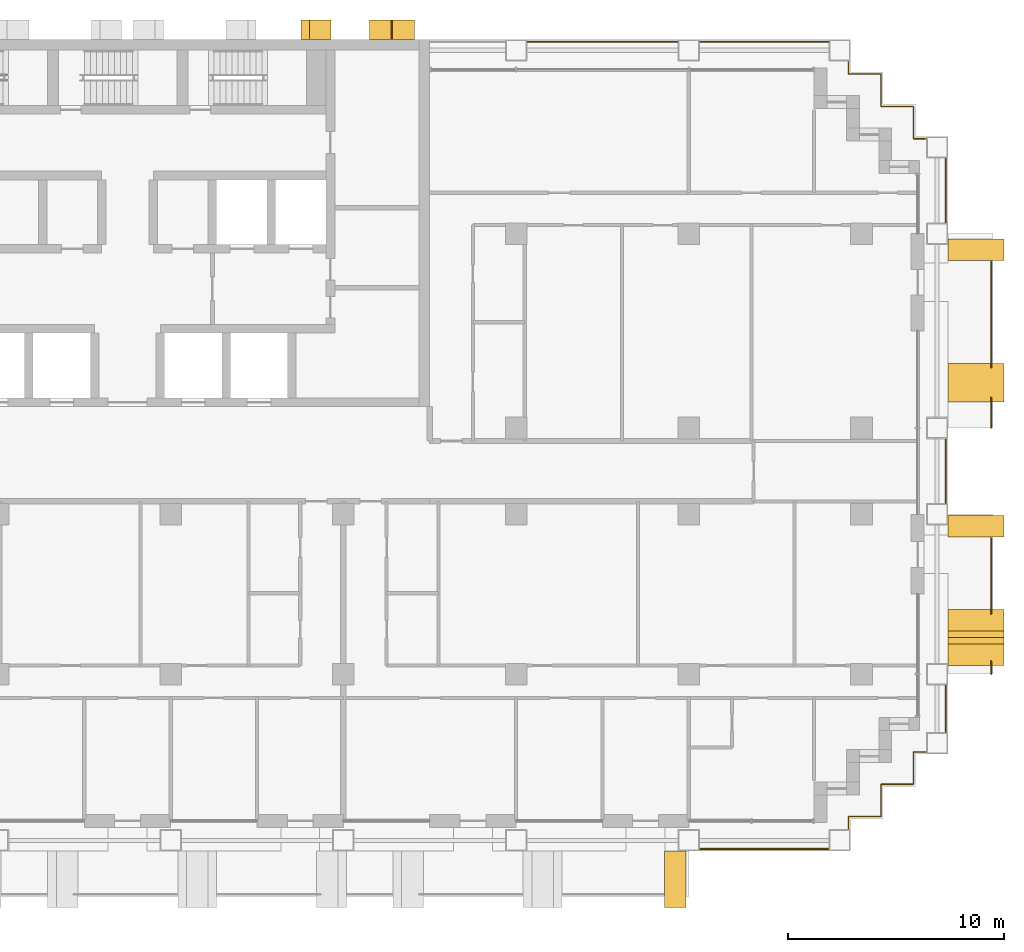
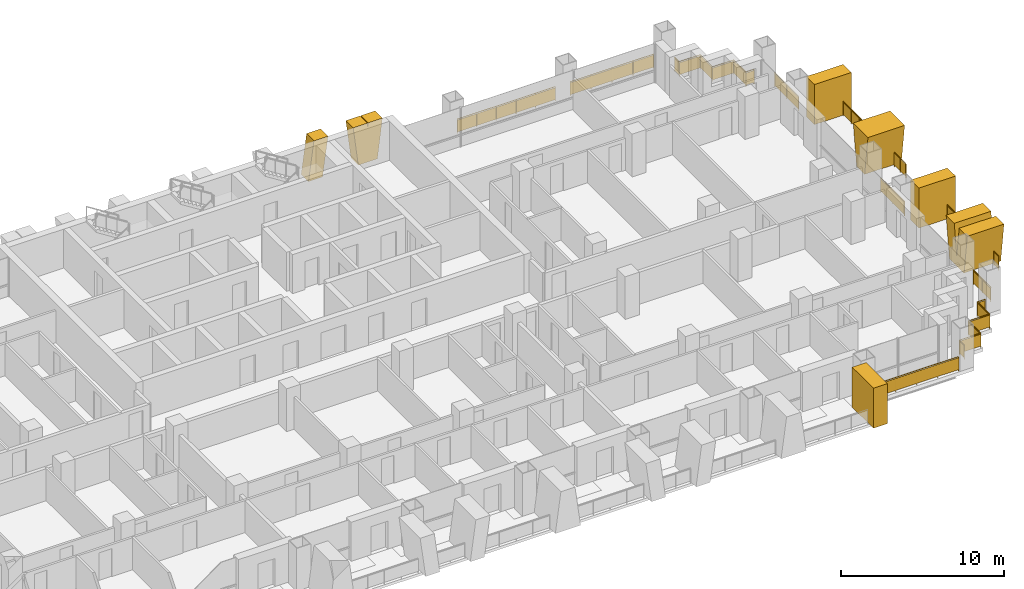
# One storey, part 18 of 18: 12 railings, 7 shading devices.
"""IFC4 building model written with IfcOpenShell, lengths in metres."""

from ifc_helpers import new_model, si_unit, direction, frame, origin, origin_2d, place, context, subcontext, project, spatial, polyline, rectangle, circle, outline, extrude, material, layer, layer_set, type_object, element, save


model = new_model("IFC4")

# Units and contexts
model_context = context("Model", 3, precision=1e-05, world=origin(), true_north=direction((0.0, 1.0)))
body_context = subcontext(model_context, "Body", "Model", "MODEL_VIEW")
ifc_project = project(units=[si_unit("LENGTHUNIT", "METRE"), si_unit("AREAUNIT", "SQUARE_METRE"), si_unit("VOLUMEUNIT", "CUBIC_METRE"), si_unit("PLANEANGLEUNIT", "RADIAN"), si_unit("MASSUNIT", "GRAM", prefix="KILO")], contexts=[model_context])

# Site, building, storey
site_placement = place(None, origin())
site = spatial("IfcSite", under=ifc_project, at=site_placement, CompositionType="ELEMENT")
building_placement = place(site_placement, origin())
building = spatial("IfcBuilding", under=site, at=building_placement, Name="Vidyagriha Tower", CompositionType="ELEMENT")
storey_placement = place(building_placement, frame((0.0, 0.0, 54.39990234375)))
storey = spatial("IfcBuildingStorey", under=building, at=storey_placement, Name="L14", CompositionType="ELEMENT", Elevation=54.39990234375)

# Railings
ifc_material_1 = material(Name="Steel ASTM A500 Grade C black painted", Category="steel")
railing_type_1 = type_object("IfcRailingType", Name="Balcony guard 1100", PredefinedType="BALUSTRADE", material=ifc_material_1)
railing_1_placement = place(storey_placement, frame((40.0, -9.39990234375, 0.0)))
element("IfcRailing", 1, at=railing_1_placement, inside=storey, type_object=railing_type_1, Name="Balcony guard L14 R30.1-1", PredefinedType="BALUSTRADE", context=body_context, shape_type="SweptSolid", body=[
    extrude(circle(Radius=0.02490234375, at=origin_2d()), frame((0.0, 0.0, 1.0751953125), z_axis=(0.0, 1.0, 0.0), x_axis=(-1.0, 0.0, 0.0)), (0.0, 0.0, 1.0), 0.5966796875),
    extrude(circle(Radius=0.02001953125, at=origin_2d()), origin(), (0.0, 0.0, 1.0), 1.050048828125),
    extrude(circle(Radius=0.02001953125, at=origin_2d()), frame((0.0, 0.5966796875, 0.0)), (0.0, 0.0, 1.0), 1.050048828125),
    extrude(rectangle(XDim=0.010009765625, YDim=0.900146484375, at=origin_2d()), frame((0.0, 0.0, 0.550048828125), z_axis=(0.0, 1.0, 0.0), x_axis=(-1.0, 0.0, 0.0)), (0.0, 0.0, 1.0), 0.5966796875),
])
railing_2_placement = place(storey_placement, frame((40.0, -6.5966796875, 0.0)))
element("IfcRailing", 2, at=railing_2_placement, inside=storey, type_object=railing_type_1, Name="Balcony guard L14 R30.1-2", PredefinedType="BALUSTRADE", context=body_context, shape_type="SweptSolid", body=[
    extrude(circle(Radius=0.02490234375, at=origin_2d()), frame((0.0, 0.0, 1.0751953125), z_axis=(0.0, 1.0, 0.0), x_axis=(-1.0, 0.0, 0.0)), (0.0, 0.0, 1.0), 3.49658203125),
    extrude(circle(Radius=0.02001953125, at=origin_2d()), origin(), (0.0, 0.0, 1.0), 1.050048828125),
    extrude(circle(Radius=0.02001953125, at=origin_2d()), frame((0.0, 1.16552734375, 0.0)), (0.0, 0.0, 1.0), 1.050048828125),
    extrude(circle(Radius=0.02001953125, at=origin_2d()), frame((0.0, 2.3310546875, 0.0)), (0.0, 0.0, 1.0), 1.050048828125),
    extrude(circle(Radius=0.02001953125, at=origin_2d()), frame((0.0, 3.49658203125, 0.0)), (0.0, 0.0, 1.0), 1.050048828125),
    extrude(rectangle(XDim=0.010009765625, YDim=0.900146484375, at=origin_2d()), frame((0.0, 0.0, 0.550048828125), z_axis=(0.0, 1.0, 0.0), x_axis=(-1.0, 0.0, 0.0)), (0.0, 0.0, 1.0), 3.49658203125),
])
railing_3_placement = place(storey_placement, frame((40.0, 2.0, 0.0)))
element("IfcRailing", 3, at=railing_3_placement, inside=storey, type_object=railing_type_1, Name="Balcony guard L14 R30.2-1", PredefinedType="BALUSTRADE", context=body_context, shape_type="SweptSolid", body=[
    extrude(circle(Radius=0.02490234375, at=origin_2d()), frame((0.0, 0.0, 1.0751953125), z_axis=(0.0, 1.0, 0.0), x_axis=(-1.0, 0.0, 0.0)), (0.0, 0.0, 1.0), 1.396728515625),
    extrude(circle(Radius=0.02001953125, at=origin_2d()), origin(), (0.0, 0.0, 1.0), 1.050048828125),
    extrude(circle(Radius=0.02001953125, at=origin_2d()), frame((0.0, 0.6982421875, 0.0)), (0.0, 0.0, 1.0), 1.050048828125),
    extrude(circle(Radius=0.02001953125, at=origin_2d()), frame((0.0, 1.396728515625, 0.0)), (0.0, 0.0, 1.0), 1.050048828125),
    extrude(rectangle(XDim=0.010009765625, YDim=0.900146484375, at=origin_2d()), frame((0.0, 0.0, 0.550048828125), z_axis=(0.0, 1.0, 0.0), x_axis=(-1.0, 0.0, 0.0)), (0.0, 0.0, 1.0), 1.396728515625),
])
railing_4_placement = place(storey_placement, frame((40.0, 4.80322265625, 0.0)))
element("IfcRailing", 4, at=railing_4_placement, inside=storey, type_object=railing_type_1, Name="Balcony guard L14 R30.2-2", PredefinedType="BALUSTRADE", context=body_context, shape_type="SweptSolid", body=[
    extrude(circle(Radius=0.02490234375, at=origin_2d()), frame((0.0, 0.0, 1.0751953125), z_axis=(0.0, 1.0, 0.0), x_axis=(-1.0, 0.0, 0.0)), (0.0, 0.0, 1.0), 4.896728515625),
    extrude(circle(Radius=0.02001953125, at=origin_2d()), origin(), (0.0, 0.0, 1.0), 1.050048828125),
    extrude(circle(Radius=0.02001953125, at=origin_2d()), frame((0.0, 0.979248046875, 0.0)), (0.0, 0.0, 1.0), 1.050048828125),
    extrude(circle(Radius=0.02001953125, at=origin_2d()), frame((0.0, 1.958740234375, 0.0)), (0.0, 0.0, 1.0), 1.050048828125),
    extrude(circle(Radius=0.02001953125, at=origin_2d()), frame((0.0, 2.93798828125, 0.0)), (0.0, 0.0, 1.0), 1.050048828125),
    extrude(circle(Radius=0.02001953125, at=origin_2d()), frame((0.0, 3.91748046875, 0.0)), (0.0, 0.0, 1.0), 1.050048828125),
    extrude(circle(Radius=0.02001953125, at=origin_2d()), frame((0.0, 4.896728515625, 0.0)), (0.0, 0.0, 1.0), 1.050048828125),
    extrude(rectangle(XDim=0.010009765625, YDim=0.900146484375, at=origin_2d()), frame((0.0, 0.0, 0.550048828125), z_axis=(0.0, 1.0, 0.0), x_axis=(-1.0, 0.0, 0.0)), (0.0, 0.0, 1.0), 4.896728515625),
])

# Shading devices
ifc_material_2 = material(Name="Precast concrete C40/50 with buff brick facing", Category="concrete")
ifc_layer_1 = layer(ifc_material_2, 1.0)
ifc_layer_set_1 = layer_set([ifc_layer_1], Name="Precast concrete C40/50 with buff brick facing")
shading_device_type_1 = type_object("IfcShadingDeviceType", Name="Brick-faced blade fin forking 8 degrees", PredefinedType="USERDEFINED", material=ifc_layer_set_1)
shading_device_1_placement = place(storey_placement, frame((39.300048828125, -9.0, 0.0), z_axis=(0.0, 0.0, 1.0), x_axis=(0.0, 1.0, 0.0)))
element("IfcShadingDevice", 5, at=shading_device_1_placement, inside=storey, type_object=shading_device_type_1, Name="Forked blade fin L14 R30.200a", ObjectType="BLADE FIN", PredefinedType="USERDEFINED", context=body_context, shape_type="SweptSolid", body=[
    extrude(outline(polyline([(0.39990234375, 0.0), (2.199951171875, 0.0), (2.60009765625, 3.0), (1.60009765625, 3.0), (1.300048828125, 0.75), (1.0, 3.0), (0.0, 3.0), (0.39990234375, 0.0)])), frame((0.0, 1.300048828125, 0.0), z_axis=(0.0, -1.0, 0.0), x_axis=(1.0, 0.0, 0.0)), (0.0, 0.0, 1.0), 2.60009765625),
])
shading_device_2_placement = place(storey_placement, frame((39.300048828125, 3.199951171875, 0.0), z_axis=(0.0, 0.0, 1.0), x_axis=(0.0, 1.0, 0.0)))
element("IfcShadingDevice", 6, at=shading_device_2_placement, inside=storey, type_object=shading_device_type_1, Name="Forked blade fin L14 R30.1340a", ObjectType="BLADE FIN", PredefinedType="USERDEFINED", context=body_context, shape_type="SweptSolid", body=[
    extrude(outline(polyline([(0.39990234375, 0.0), (1.39990234375, 0.0), (1.800048828125, 3.0), (0.0, 3.0), (0.39990234375, 0.0)])), frame((0.0, 1.300048828125, 0.0), z_axis=(0.0, -1.0, 0.0), x_axis=(1.0, 0.0, 0.0)), (0.0, 0.0, 1.0), 2.60009765625),
])
ifc_material_3 = material(Name="Precast concrete C40/50 with buff brick facing", Category="concrete")
ifc_layer_2 = layer(ifc_material_3, 1.0)
ifc_layer_set_2 = layer_set([ifc_layer_2], Name="Precast concrete C40/50 with buff brick facing")
shading_device_type_2 = type_object("IfcShadingDeviceType", Name="Brick-faced blade fin stem 1000", PredefinedType="USERDEFINED", material=ifc_layer_set_2)
shading_device_3_placement = place(storey_placement, frame((24.875, -18.89990234375, 0.0)))
element("IfcShadingDevice", 7, at=shading_device_3_placement, inside=storey, type_object=shading_device_type_2, Name="Stem blade fin L14 R23.5780a", ObjectType="BLADE FIN", PredefinedType="USERDEFINED", context=body_context, shape_type="SweptSolid", body=[
    extrude(outline(polyline([(0.0, 0.0), (1.0, 0.0), (1.0, 3.0), (0.0, 3.0), (0.0, 0.0)])), frame((0.0, 1.300048828125, 0.0), z_axis=(0.0, -1.0, 0.0), x_axis=(1.0, 0.0, 0.0)), (0.0, 0.0, 1.0), 2.60009765625),
])
for number, where, z_axis, x_axis, name in (
    (8, (39.300048828125, -3.050048828125, 0.0), (0.0, 0.0, 1.0), (0.0, 1.0, 0.0), "Stem blade fin L14 R30.940a"),
    (9, (39.300048828125, 9.75, 0.0), (0.0, 0.0, 1.0), (0.0, 1.0, 0.0), "Stem blade fin L14 R30.2240a"),
):
    element("IfcShadingDevice", number, at=place(storey_placement, frame(where, z_axis=z_axis, x_axis=x_axis)), inside=storey, type_object=shading_device_type_2, Name=name, ObjectType="BLADE FIN", PredefinedType="USERDEFINED", context=body_context, shape_type="SweptSolid", body=[
        extrude(outline(polyline([(0.0, 0.0), (1.0, 0.0), (1.0, 3.0), (0.0, 3.0), (0.0, 0.0)])), frame((0.0, 1.300048828125, 0.0), z_axis=(0.0, -1.0, 0.0), x_axis=(1.0, 0.0, 0.0)), (0.0, 0.0, 1.0), 2.60009765625),
    ])
ifc_material_4 = material(Name="Precast concrete C40/50 with brick facing", Category="concrete")
ifc_layer_3 = layer(ifc_material_4, 1.0)
ifc_layer_set_3 = layer_set([ifc_layer_3], Name="Precast concrete C40/50 with brick facing")
shading_device_type_3 = type_object("IfcShadingDeviceType", Name="Brick-faced rear rib arm leaning 8 degrees", PredefinedType="USERDEFINED", material=ifc_layer_set_3)
shading_device_4_placement = place(storey_placement, frame((9.4287109375, 20.449951171875, 0.0), z_axis=(0.0, 0.0, 1.0), x_axis=(-1.0, 0.0, 0.0)))
element("IfcShadingDevice", 10, at=shading_device_4_placement, inside=storey, type_object=shading_device_type_3, Name="Rear rib arm L14 R08.2b", ObjectType="BLADE FIN", PredefinedType="USERDEFINED", context=body_context, shape_type="SweptSolid", body=[
    extrude(outline(polyline([(0.3857421875, 0.0), (1.3857421875, 0.0), (1.0, 2.920166015625), (0.0, 2.920166015625), (0.3857421875, 0.0)])), frame((0.0, 0.449951171875, 0.0), z_axis=(0.0, -1.0, 0.0), x_axis=(1.0, 0.0, 0.0)), (0.0, 0.0, 1.0), 0.89990234375),
])
ifc_material_5 = material(Name="Precast concrete C40/50 with brick facing", Category="concrete")
ifc_layer_4 = layer(ifc_material_5, 1.0)
ifc_layer_set_4 = layer_set([ifc_layer_4], Name="Precast concrete C40/50 with brick facing")
shading_device_type_4 = type_object("IfcShadingDeviceType", Name="Brick-faced rear rib forking 8 degrees", PredefinedType="USERDEFINED", material=ifc_layer_set_4)
shading_device_5_placement = place(storey_placement, frame((13.28564453125, 20.449951171875, 0.0), z_axis=(0.0, 0.0, 1.0), x_axis=(-1.0, 0.0, 0.0)))
element("IfcShadingDevice", 11, at=shading_device_5_placement, inside=storey, type_object=shading_device_type_4, Name="Rear rib fork L14 R08.1a", ObjectType="BLADE FIN", PredefinedType="USERDEFINED", context=body_context, shape_type="SweptSolid", body=[
    extrude(outline(polyline([(0.357177734375, 0.0), (1.71435546875, 0.0), (2.0712890625, 2.920166015625), (1.0712890625, 2.920166015625), (1.03564453125, 2.628173828125), (1.0, 2.920166015625), (0.0, 2.920166015625), (0.357177734375, 0.0)])), frame((0.0, 0.449951171875, 0.0), z_axis=(0.0, -1.0, 0.0), x_axis=(1.0, 0.0, 0.0)), (0.0, 0.0, 1.0), 0.89990234375),
])

# Railings
ifc_material_6 = material(Name="Steel ASTM A500 Grade C black painted", Category="steel")
railing_type_2 = type_object("IfcRailingType", Name="Gallery guard 1100", PredefinedType="GUARDRAIL", material=ifc_material_6)
railing_5_placement = place(storey_placement, frame((18.530029296875, 19.89990234375, 0.0)))
element("IfcRailing", 12, at=railing_5_placement, inside=storey, type_object=railing_type_2, Name="Gallery guard L14 11", PredefinedType="GUARDRAIL", context=body_context, shape_type="SweptSolid", body=[
    extrude(circle(Radius=0.02490234375, at=origin_2d()), frame((0.0, 0.0, 1.0751953125), z_axis=(1.0, 0.0, 0.0), x_axis=(0.0, 1.0, 0.0)), (0.0, 0.0, 1.0), 6.93994140625),
    extrude(circle(Radius=0.02001953125, at=origin_2d()), origin(), (0.0, 0.0, 1.0), 1.050048828125),
    extrude(circle(Radius=0.02001953125, at=origin_2d()), frame((1.387939453125, 0.0, 0.0)), (0.0, 0.0, 1.0), 1.050048828125),
    extrude(circle(Radius=0.02001953125, at=origin_2d()), frame((2.77587890625, 0.0, 0.0)), (0.0, 0.0, 1.0), 1.050048828125),
    extrude(circle(Radius=0.02001953125, at=origin_2d()), frame((4.1640625, 0.0, 0.0)), (0.0, 0.0, 1.0), 1.050048828125),
    extrude(circle(Radius=0.02001953125, at=origin_2d()), frame((5.552001953125, 0.0, 0.0)), (0.0, 0.0, 1.0), 1.050048828125),
    extrude(circle(Radius=0.02001953125, at=origin_2d()), frame((6.93994140625, 0.0, 0.0)), (0.0, 0.0, 1.0), 1.050048828125),
    extrude(rectangle(XDim=0.010009765625, YDim=0.900146484375, at=origin_2d()), frame((0.0, 0.0, 0.550048828125), z_axis=(1.0, 0.0, 0.0), x_axis=(0.0, 1.0, 0.0)), (0.0, 0.0, 1.0), 6.93994140625),
])
railing_6_placement = place(storey_placement, frame((32.469970703125, -17.5, 0.0)))
element("IfcRailing", 13, at=railing_6_placement, inside=storey, type_object=railing_type_2, Name="Gallery guard L14 12", PredefinedType="GUARDRAIL", context=body_context, shape_type="SweptSolid", body=[
    extrude(circle(Radius=0.02490234375, at=origin_2d()), frame((0.0, 0.0, 1.0751953125), z_axis=(-1.0, 0.0, 0.0), x_axis=(0.0, -1.0, 0.0)), (0.0, 0.0, 1.0), 5.93994140625),
    extrude(circle(Radius=0.02001953125, at=origin_2d()), origin(), (0.0, 0.0, 1.0), 1.050048828125),
    extrude(circle(Radius=0.02001953125, at=origin_2d()), frame((-1.48486328125, 0.0, 0.0)), (0.0, 0.0, 1.0), 1.050048828125),
    extrude(circle(Radius=0.02001953125, at=origin_2d()), frame((-2.969970703125, 0.0, 0.0)), (0.0, 0.0, 1.0), 1.050048828125),
    extrude(circle(Radius=0.02001953125, at=origin_2d()), frame((-4.455078125, 0.0, 0.0)), (0.0, 0.0, 1.0), 1.050048828125),
    extrude(circle(Radius=0.02001953125, at=origin_2d()), frame((-5.93994140625, 0.0, 0.0)), (0.0, 0.0, 1.0), 1.050048828125),
    extrude(rectangle(XDim=0.010009765625, YDim=0.900146484375, at=origin_2d()), frame((0.0, 0.0, 0.550048828125), z_axis=(-1.0, 0.0, 0.0), x_axis=(0.0, -1.0, 0.0)), (0.0, 0.0, 1.0), 5.93994140625),
])
railing_7_placement = place(storey_placement, frame((26.530029296875, 19.89990234375, 0.0)))
element("IfcRailing", 14, at=railing_7_placement, inside=storey, type_object=railing_type_2, Name="Gallery guard L14 13", PredefinedType="GUARDRAIL", context=body_context, shape_type="SweptSolid", body=[
    extrude(circle(Radius=0.02490234375, at=origin_2d()), frame((0.0, 0.0, 1.0751953125), z_axis=(1.0, 0.0, 0.0), x_axis=(0.0, 1.0, 0.0)), (0.0, 0.0, 1.0), 5.93994140625),
    extrude(circle(Radius=0.02001953125, at=origin_2d()), origin(), (0.0, 0.0, 1.0), 1.050048828125),
    extrude(circle(Radius=0.02001953125, at=origin_2d()), frame((1.48486328125, 0.0, 0.0)), (0.0, 0.0, 1.0), 1.050048828125),
    extrude(circle(Radius=0.02001953125, at=origin_2d()), frame((2.969970703125, 0.0, 0.0)), (0.0, 0.0, 1.0), 1.050048828125),
    extrude(circle(Radius=0.02001953125, at=origin_2d()), frame((4.455078125, 0.0, 0.0)), (0.0, 0.0, 1.0), 1.050048828125),
    extrude(circle(Radius=0.02001953125, at=origin_2d()), frame((5.93994140625, 0.0, 0.0)), (0.0, 0.0, 1.0), 1.050048828125),
    extrude(rectangle(XDim=0.010009765625, YDim=0.900146484375, at=origin_2d()), frame((0.0, 0.0, 0.550048828125), z_axis=(1.0, 0.0, 0.0), x_axis=(0.0, 1.0, 0.0)), (0.0, 0.0, 1.0), 5.93994140625),
])
railing_8_placement = place(storey_placement, frame((36.969970703125, -13.0, 0.0)))
element("IfcRailing", 15, at=railing_8_placement, inside=storey, type_object=railing_type_2, Name="Gallery guard L14 14", PredefinedType="GUARDRAIL", context=body_context, shape_type="SweptSolid", body=[
    extrude(circle(Radius=0.02490234375, at=origin_2d()), frame((0.0, 0.0, 1.0751953125), z_axis=(-1.0, 0.0, 0.0), x_axis=(0.0, -1.0, 0.0)), (0.0, 0.0, 1.0), 0.570068359375),
    extrude(circle(Radius=0.02490234375, at=origin_2d()), frame((-0.570068359375, 0.0, 1.0751953125), z_axis=(0.0, -1.0, 0.0), x_axis=(1.0, 0.0, 0.0)), (0.0, 0.0, 1.0), 1.5),
    extrude(circle(Radius=0.02490234375, at=origin_2d()), frame((-0.570068359375, -1.5, 1.0751953125), z_axis=(-1.0, 0.0, 0.0), x_axis=(0.0, -1.0, 0.0)), (0.0, 0.0, 1.0), 1.5),
    extrude(circle(Radius=0.02490234375, at=origin_2d()), frame((-2.070068359375, -1.5, 1.0751953125), z_axis=(0.0, -1.0, 0.0), x_axis=(1.0, 0.0, 0.0)), (0.0, 0.0, 1.0), 1.5),
    extrude(circle(Radius=0.02490234375, at=origin_2d()), frame((-2.070068359375, -3.0, 1.0751953125), z_axis=(-1.0, 0.0, 0.0), x_axis=(0.0, -1.0, 0.0)), (0.0, 0.0, 1.0), 1.5),
    extrude(circle(Radius=0.02490234375, at=origin_2d()), frame((-3.570068359375, -3.0, 1.0751953125), z_axis=(0.0, -1.0, 0.0), x_axis=(1.0, 0.0, 0.0)), (0.0, 0.0, 1.0), 0.570068359375),
    extrude(circle(Radius=0.02001953125, at=origin_2d()), origin(), (0.0, 0.0, 1.0), 1.050048828125),
    extrude(circle(Radius=0.02001953125, at=origin_2d()), frame((-0.570068359375, 0.0, 0.0)), (0.0, 0.0, 1.0), 1.050048828125),
    extrude(circle(Radius=0.02001953125, at=origin_2d()), frame((-0.570068359375, -1.5, 0.0)), (0.0, 0.0, 1.0), 1.050048828125),
    extrude(circle(Radius=0.02001953125, at=origin_2d()), frame((-2.070068359375, -1.5, 0.0)), (0.0, 0.0, 1.0), 1.050048828125),
    extrude(circle(Radius=0.02001953125, at=origin_2d()), frame((-2.070068359375, -3.0, 0.0)), (0.0, 0.0, 1.0), 1.050048828125),
    extrude(circle(Radius=0.02001953125, at=origin_2d()), frame((-3.570068359375, -3.0, 0.0)), (0.0, 0.0, 1.0), 1.050048828125),
    extrude(circle(Radius=0.02001953125, at=origin_2d()), frame((-3.570068359375, -3.570068359375, 0.0)), (0.0, 0.0, 1.0), 1.050048828125),
    extrude(rectangle(XDim=0.010009765625, YDim=0.900146484375, at=origin_2d()), frame((0.0, 0.0, 0.550048828125), z_axis=(-1.0, 0.0, 0.0), x_axis=(0.0, -1.0, 0.0)), (0.0, 0.0, 1.0), 0.570068359375),
    extrude(rectangle(XDim=0.010009765625, YDim=0.900146484375, at=origin_2d()), frame((-0.570068359375, 0.0, 0.550048828125), z_axis=(0.0, -1.0, 0.0), x_axis=(1.0, 0.0, 0.0)), (0.0, 0.0, 1.0), 1.5),
    extrude(rectangle(XDim=0.010009765625, YDim=0.900146484375, at=origin_2d()), frame((-0.570068359375, -1.5, 0.550048828125), z_axis=(-1.0, 0.0, 0.0), x_axis=(0.0, -1.0, 0.0)), (0.0, 0.0, 1.0), 1.5),
    extrude(rectangle(XDim=0.010009765625, YDim=0.900146484375, at=origin_2d()), frame((-2.070068359375, -1.5, 0.550048828125), z_axis=(0.0, -1.0, 0.0), x_axis=(1.0, 0.0, 0.0)), (0.0, 0.0, 1.0), 1.5),
    extrude(rectangle(XDim=0.010009765625, YDim=0.900146484375, at=origin_2d()), frame((-2.070068359375, -3.0, 0.550048828125), z_axis=(-1.0, 0.0, 0.0), x_axis=(0.0, -1.0, 0.0)), (0.0, 0.0, 1.0), 1.5),
    extrude(rectangle(XDim=0.010009765625, YDim=0.900146484375, at=origin_2d()), frame((-3.570068359375, -3.0, 0.550048828125), z_axis=(0.0, -1.0, 0.0), x_axis=(1.0, 0.0, 0.0)), (0.0, 0.0, 1.0), 0.570068359375),
])
railing_9_placement = place(storey_placement, frame((33.39990234375, 18.969970703125, 0.0)))
element("IfcRailing", 16, at=railing_9_placement, inside=storey, type_object=railing_type_2, Name="Gallery guard L14 15", PredefinedType="GUARDRAIL", context=body_context, shape_type="SweptSolid", body=[
    extrude(circle(Radius=0.02490234375, at=origin_2d()), frame((0.0, 0.0, 1.0751953125), z_axis=(0.0, -1.0, 0.0), x_axis=(1.0, 0.0, 0.0)), (0.0, 0.0, 1.0), 0.570068359375),
    extrude(circle(Radius=0.02490234375, at=origin_2d()), frame((0.0, -0.570068359375, 1.0751953125), z_axis=(1.0, 0.0, 0.0), x_axis=(0.0, 1.0, 0.0)), (0.0, 0.0, 1.0), 1.5),
    extrude(circle(Radius=0.02490234375, at=origin_2d()), frame((1.5, -0.570068359375, 1.0751953125), z_axis=(0.0, -1.0, 0.0), x_axis=(1.0, 0.0, 0.0)), (0.0, 0.0, 1.0), 1.5),
    extrude(circle(Radius=0.02490234375, at=origin_2d()), frame((1.5, -2.070068359375, 1.0751953125), z_axis=(1.0, 0.0, 0.0), x_axis=(0.0, 1.0, 0.0)), (0.0, 0.0, 1.0), 1.5),
    extrude(circle(Radius=0.02490234375, at=origin_2d()), frame((3.0, -2.070068359375, 1.0751953125), z_axis=(0.0, -1.0, 0.0), x_axis=(1.0, 0.0, 0.0)), (0.0, 0.0, 1.0), 1.5),
    extrude(circle(Radius=0.02490234375, at=origin_2d()), frame((3.0, -3.570068359375, 1.0751953125), z_axis=(1.0, 0.0, 0.0), x_axis=(0.0, 1.0, 0.0)), (0.0, 0.0, 1.0), 0.570068359375),
    extrude(circle(Radius=0.02001953125, at=origin_2d()), origin(), (0.0, 0.0, 1.0), 1.050048828125),
    extrude(circle(Radius=0.02001953125, at=origin_2d()), frame((0.0, -0.570068359375, 0.0)), (0.0, 0.0, 1.0), 1.050048828125),
    extrude(circle(Radius=0.02001953125, at=origin_2d()), frame((1.5, -0.570068359375, 0.0)), (0.0, 0.0, 1.0), 1.050048828125),
    extrude(circle(Radius=0.02001953125, at=origin_2d()), frame((1.5, -2.070068359375, 0.0)), (0.0, 0.0, 1.0), 1.050048828125),
    extrude(circle(Radius=0.02001953125, at=origin_2d()), frame((3.0, -2.070068359375, 0.0)), (0.0, 0.0, 1.0), 1.050048828125),
    extrude(circle(Radius=0.02001953125, at=origin_2d()), frame((3.0, -3.570068359375, 0.0)), (0.0, 0.0, 1.0), 1.050048828125),
    extrude(circle(Radius=0.02001953125, at=origin_2d()), frame((3.570068359375, -3.570068359375, 0.0)), (0.0, 0.0, 1.0), 1.050048828125),
    extrude(rectangle(XDim=0.010009765625, YDim=0.900146484375, at=origin_2d()), frame((0.0, 0.0, 0.550048828125), z_axis=(0.0, -1.0, 0.0), x_axis=(1.0, 0.0, 0.0)), (0.0, 0.0, 1.0), 0.570068359375),
    extrude(rectangle(XDim=0.010009765625, YDim=0.900146484375, at=origin_2d()), frame((0.0, -0.570068359375, 0.550048828125), z_axis=(1.0, 0.0, 0.0), x_axis=(0.0, 1.0, 0.0)), (0.0, 0.0, 1.0), 1.5),
    extrude(rectangle(XDim=0.010009765625, YDim=0.900146484375, at=origin_2d()), frame((1.5, -0.570068359375, 0.550048828125), z_axis=(0.0, -1.0, 0.0), x_axis=(1.0, 0.0, 0.0)), (0.0, 0.0, 1.0), 1.5),
    extrude(rectangle(XDim=0.010009765625, YDim=0.900146484375, at=origin_2d()), frame((1.5, -2.070068359375, 0.550048828125), z_axis=(1.0, 0.0, 0.0), x_axis=(0.0, 1.0, 0.0)), (0.0, 0.0, 1.0), 1.5),
    extrude(rectangle(XDim=0.010009765625, YDim=0.900146484375, at=origin_2d()), frame((3.0, -2.070068359375, 0.550048828125), z_axis=(0.0, -1.0, 0.0), x_axis=(1.0, 0.0, 0.0)), (0.0, 0.0, 1.0), 1.5),
    extrude(rectangle(XDim=0.010009765625, YDim=0.900146484375, at=origin_2d()), frame((3.0, -3.570068359375, 0.550048828125), z_axis=(1.0, 0.0, 0.0), x_axis=(0.0, 1.0, 0.0)), (0.0, 0.0, 1.0), 0.570068359375),
])
railing_10_placement = place(storey_placement, frame((37.89990234375, -9.929931640625, 0.0)))
element("IfcRailing", 17, at=railing_10_placement, inside=storey, type_object=railing_type_2, Name="Gallery guard L14 16", PredefinedType="GUARDRAIL", context=body_context, shape_type="SweptSolid", body=[
    extrude(circle(Radius=0.02490234375, at=origin_2d()), frame((0.0, 0.0, 1.0751953125), z_axis=(0.0, -1.0, 0.0), x_axis=(1.0, 0.0, 0.0)), (0.0, 0.0, 1.0), 2.14013671875),
    extrude(circle(Radius=0.02001953125, at=origin_2d()), origin(), (0.0, 0.0, 1.0), 1.050048828125),
    extrude(circle(Radius=0.02001953125, at=origin_2d()), frame((0.0, -1.070068359375, 0.0)), (0.0, 0.0, 1.0), 1.050048828125),
    extrude(circle(Radius=0.02001953125, at=origin_2d()), frame((0.0, -2.14013671875, 0.0)), (0.0, 0.0, 1.0), 1.050048828125),
    extrude(rectangle(XDim=0.010009765625, YDim=0.900146484375, at=origin_2d()), frame((0.0, 0.0, 0.550048828125), z_axis=(0.0, -1.0, 0.0), x_axis=(1.0, 0.0, 0.0)), (0.0, 0.0, 1.0), 2.14013671875),
])
for number, where, name in (
    (18, (37.89990234375, 1.469970703125, 0.0), "Gallery guard L14 17"),
    (19, (37.89990234375, 14.469970703125, 0.0), "Gallery guard L14 18"),
):
    element("IfcRailing", number, at=place(storey_placement, frame(where)), inside=storey, type_object=railing_type_2, Name=name, PredefinedType="GUARDRAIL", context=body_context, shape_type="SweptSolid", body=[
        extrude(circle(Radius=0.02490234375, at=origin_2d()), frame((0.0, 0.0, 1.0751953125), z_axis=(0.0, -1.0, 0.0), x_axis=(1.0, 0.0, 0.0)), (0.0, 0.0, 1.0), 2.93994140625),
        extrude(circle(Radius=0.02001953125, at=origin_2d()), origin(), (0.0, 0.0, 1.0), 1.050048828125),
        extrude(circle(Radius=0.02001953125, at=origin_2d()), frame((0.0, -1.469970703125, 0.0)), (0.0, 0.0, 1.0), 1.050048828125),
        extrude(circle(Radius=0.02001953125, at=origin_2d()), frame((0.0, -2.93994140625, 0.0)), (0.0, 0.0, 1.0), 1.050048828125),
        extrude(rectangle(XDim=0.010009765625, YDim=0.900146484375, at=origin_2d()), frame((0.0, 0.0, 0.550048828125), z_axis=(0.0, -1.0, 0.0), x_axis=(1.0, 0.0, 0.0)), (0.0, 0.0, 1.0), 2.93994140625),
    ])

save(model, "model.ifc")
